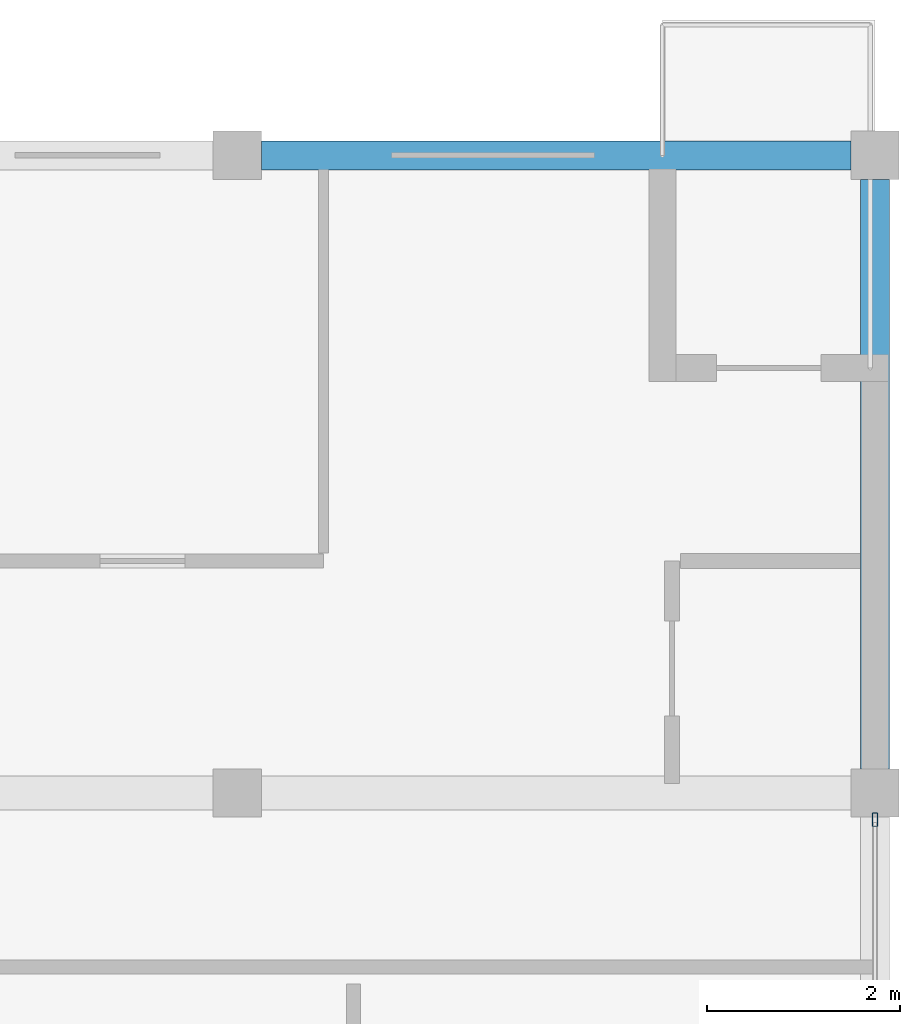
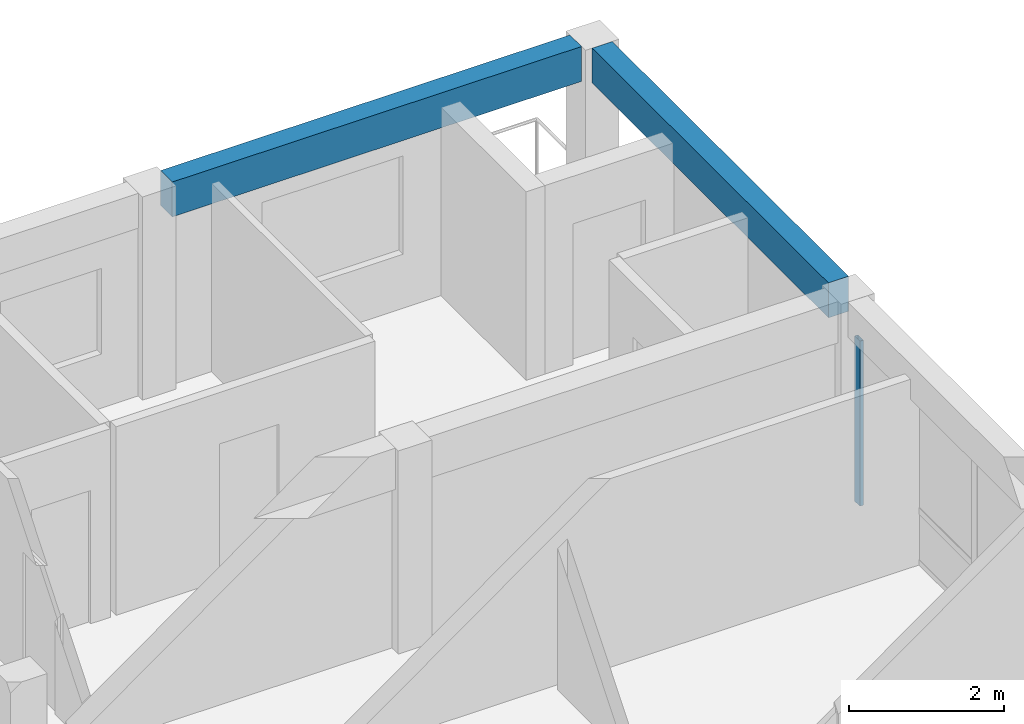
# One storey, part 22 of 46: 2 beams, 1 member, 1 element without a shape of its own.
"""IFC4 building model written with IfcOpenShell, lengths in metres."""

from ifc_helpers import new_model, si_unit, direction, frame, origin, origin_2d, place, context, subcontext, project, spatial, rectangle, hollow_rectangle, extrude, material, material_profile, profile_set, type_object, element, aggregate, save


model = new_model("IFC4")

# Units and contexts
model_context = context("Model", 3, precision=1e-05, world=origin(), true_north=direction((0.0, 1.0)))
body_context = subcontext(model_context, "Body", "Model", "MODEL_VIEW")
ifc_project = project(units=[si_unit("LENGTHUNIT", "METRE"), si_unit("AREAUNIT", "SQUARE_METRE"), si_unit("VOLUMEUNIT", "CUBIC_METRE"), si_unit("PLANEANGLEUNIT", "RADIAN"), si_unit("MASSUNIT", "GRAM", prefix="KILO")], contexts=[model_context])

# Site, building, storey
site_placement = place(None, origin())
site = spatial("IfcSite", under=ifc_project, at=site_placement, CompositionType="ELEMENT")
building_placement = place(site_placement, origin())
building = spatial("IfcBuilding", under=site, at=building_placement, Name="Kernevlak Ridge Housing Community", CompositionType="ELEMENT")
storey_placement = place(building_placement, frame((0.0, 0.0, 27.60009765625)))
storey = spatial("IfcBuildingStorey", under=building, at=storey_placement, Name="L08", CompositionType="ELEMENT", Elevation=27.60009765625)

# Curtain wall, member
ifc_material_1 = material(Name="Aluminium EN AW-6060 anodised and laminated glass", Category="aluminium")
curtain_wall_type = type_object("IfcCurtainWallType", Name="CW-12", PredefinedType="NOTDEFINED", material=ifc_material_1)
curtain_wall_placement = place(storey_placement, origin())
curtain_wall = element("IfcCurtainWall", 1, at=curtain_wall_placement, inside=storey, type_object=curtain_wall_type, Name="Curtain wall CW-12 CW-L08-081", PredefinedType="NOTDEFINED")
ifc_material_2 = material(Name="Aluminium EN AW-6060 anodised", Category="aluminium")
ifc_material_profile_1 = material_profile(ifc_material_2, hollow_rectangle(XDim=0.054931640625, YDim=0.139892578125, WallThickness=0.00390625, InnerFilletRadius=0.001953125, OuterFilletRadius=0.00390625, at=origin_2d()), Name="ALU 55x140x4")
ifc_profile_set_1 = profile_set([ifc_material_profile_1], Name="Aluminium EN AW-6060 anodised")
member_type = type_object("IfcMemberType", Name="MU-01", PredefinedType="MULLION", material=ifc_profile_set_1)
member_placement = place(storey_placement, frame((152.39990234375, 95.5224609375, 0.0), z_axis=(0.0, 0.0, 1.0), x_axis=(-1.0, 0.0, 0.0)))
member = element("IfcMember", 2, at=member_placement, type_object=member_type, Name="CW-12 mullion 3", PredefinedType="MULLION", context=body_context, shape_type="SweptSolid", body=[
    extrude(hollow_rectangle(XDim=0.054931640625, YDim=0.139892578125, WallThickness=0.00390625, InnerFilletRadius=0.001953125, OuterFilletRadius=0.00390625, at=origin_2d()), origin(), (0.0, 0.0, 1.0), 2.599853515625),
])
aggregate(curtain_wall, [member])

# Beams
ifc_material_3 = material(Name="Concrete C35/45", Category="concrete")
ifc_material_profile_2 = material_profile(ifc_material_3, rectangle(XDim=0.300048828125, YDim=0.550048828125, at=origin_2d()), Name="RC 300x550")
ifc_profile_set_2 = profile_set([ifc_material_profile_2], Name="Concrete C35/45")
beam_type = type_object("IfcBeamType", Name="SP-01", PredefinedType="SPANDREL", material=ifc_profile_set_2)
for number, where, z_axis, x_axis, name in (
    (3, (146.050048828125, 102.39990234375, 2.9248046875), (1.0, 0.0, 0.0), (0.0, 1.0, 0.0), "Beam SP-01 L08 804"),
    (4, (152.39990234375, 96.050048828125, 2.9248046875), (0.0, 1.0, 0.0), (-1.0, 0.0, 0.0), "Beam SP-01 L08 810"),
):
    element("IfcBeam", number, at=place(storey_placement, frame(where, z_axis=z_axis, x_axis=x_axis)), inside=storey, type_object=beam_type, Name=name, PredefinedType="SPANDREL", context=body_context, shape_type="SweptSolid", body=[
        extrude(rectangle(XDim=0.300048828125, YDim=0.550048828125, at=origin_2d()), origin(), (0.0, 0.0, 1.0), 6.099853515625),
    ])

save(model, "model.ifc")
